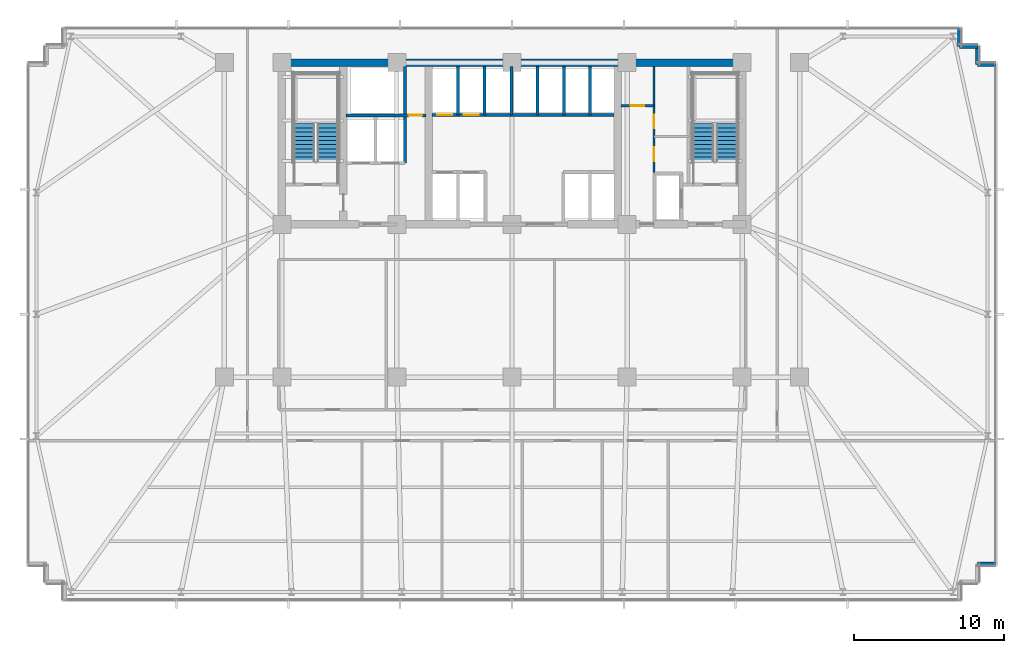
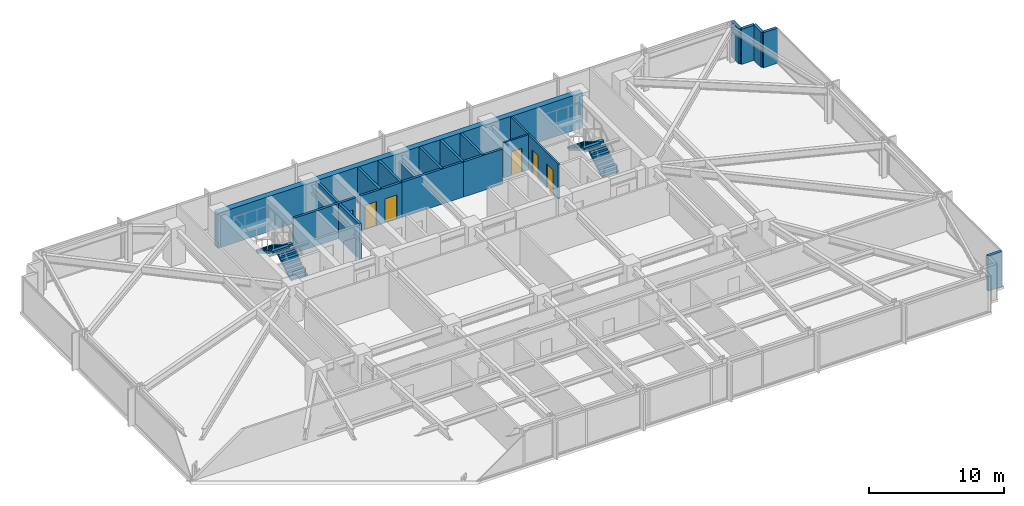
# One storey, part 26 of 32: 19 walls, 6 doors, 4 stair flights, 6 openings, 2 elements without a shape of their own.
"""IFC4 building model written with IfcOpenShell, lengths in metres."""

from ifc_helpers import new_model, si_unit, direction, frame, frame_2d, origin, place, context, subcontext, project, spatial, polyline, rectangle, outline, extrude, material, layer, layer_set, type_object, element, fill, aggregate, save


model = new_model("IFC4")

# Units and contexts
model_context = context("Model", 3, precision=1e-05, world=origin(), true_north=direction((0.0, 1.0)))
body_context = subcontext(model_context, "Body", "Model", "MODEL_VIEW")
ifc_project = project(units=[si_unit("LENGTHUNIT", "METRE"), si_unit("AREAUNIT", "SQUARE_METRE"), si_unit("VOLUMEUNIT", "CUBIC_METRE"), si_unit("PLANEANGLEUNIT", "RADIAN"), si_unit("MASSUNIT", "GRAM", prefix="KILO")], contexts=[model_context])

# Site, building, storey
site_placement = place(None, origin())
site = spatial("IfcSite", under=ifc_project, at=site_placement, CompositionType="ELEMENT")
building_placement = place(site_placement, origin())
building = spatial("IfcBuilding", under=site, at=building_placement, Name="Yelkora Congress Tower", CompositionType="ELEMENT")
storey_placement = place(building_placement, frame((0.0, 0.0, 40.60009765625)))
storey = spatial("IfcBuildingStorey", under=building, at=storey_placement, Name="L09", CompositionType="ELEMENT", Elevation=40.60009765625)

# Walls
ifc_material_1 = material(Name="Concrete C60/75", Category="concrete")
ifc_layer_1 = layer(ifc_material_1, 0.5)
ifc_layer_set_1 = layer_set([ifc_layer_1], Name="Concrete C60/75")
wall_type_1 = type_object("IfcWallType", Name="WALL-CORE-INT-500", PredefinedType="SHEAR", material=ifc_layer_set_1)
wall_1_placement = place(storey_placement, frame((22.7900390625, 46.199951171875, 0.0), z_axis=(0.0, 0.0, 1.0), x_axis=(1.0, 0.0, 0.0)))
element("IfcWall", 1, at=wall_1_placement, inside=storey, type_object=wall_type_1, Name="L09 Rear Core North Shear Wall", PredefinedType="SHEAR", context=body_context, shape_type="SweptSolid", body=[
    extrude(rectangle(XDim=31.219970703125, YDim=0.5, at=frame_2d((15.60986328125, 0.0))), origin(), (0.0, 0.0, 1.0), 3.179931640625),
])
ifc_material_2 = material(Name="Concrete C40/50", Category="concrete")
ifc_layer_2 = layer(ifc_material_2, 0.239990234375)
ifc_layer_set_2 = layer_set([ifc_layer_2], Name="Concrete C40/50")
wall_type_2 = type_object("IfcWallType", Name="WALL-EXT-LIMESTONE-240", PredefinedType="SOLIDWALL", material=ifc_layer_set_2)
for number, where, z_axis, x_axis, name in (
    (2, (68.260009765625, 48.4599609375, 0.0), (0.0, 0.0, 1.0), (0.0, -1.0, 0.0), "L09 Serrated Corner Limestone Pier 11"),
    (3, (68.260009765625, 47.260009765625, 0.0), (0.0, 0.0, 1.0), (1.0, 0.0, 0.0), "L09 Serrated Corner Limestone Pier 12"),
    (4, (69.4599609375, 47.260009765625, 0.0), (0.0, 0.0, 1.0), (0.0, -1.0, 0.0), "L09 Serrated Corner Limestone Pier 13"),
    (5, (69.4599609375, 46.06005859375, 0.0), (0.0, 0.0, 1.0), (1.0, 0.0, 0.0), "L09 Serrated Corner Limestone Pier 14"),
    (6, (70.659912109375, 12.739990234375, 0.0), (0.0, 0.0, 1.0), (-1.0, 0.0, 0.0), "L09 Serrated Corner Limestone Pier 16"),
):
    element("IfcWall", number, at=place(storey_placement, frame(where, z_axis=z_axis, x_axis=x_axis)), inside=storey, type_object=wall_type_2, Name=name, PredefinedType="SOLIDWALL", context=body_context, shape_type="SweptSolid", body=[
        extrude(rectangle(XDim=1.199951171875, YDim=0.239990234375, at=frame_2d((0.60009765625, 0.0))), origin(), (0.0, 0.0, 1.0), 3.179931640625),
    ])

# Wall, opening, door
ifc_material_3 = material(Name="Acoustic metal-stud gypsum partition", Category="gypsum")
ifc_layer_3 = layer(ifc_material_3, 0.14990234375)
ifc_layer_set_3 = layer_set([ifc_layer_3], Name="Acoustic metal-stud gypsum partition")
wall_type_3 = type_object("IfcWallType", Name="WALL-INT-150-NR", PredefinedType="PARTITIONING", material=ifc_layer_set_3)
wall_2_placement = place(storey_placement, frame((45.679931640625, 43.31005859375, 0.0), z_axis=(0.0, 0.0, 1.0), x_axis=(1.0, 0.0, 0.0)))
wall_2 = element("IfcWall", 7, at=wall_2_placement, inside=storey, type_object=wall_type_3, Name="L09 Partition Wall 28", PredefinedType="PARTITIONING", context=body_context, shape_type="SweptSolid", body=[
    extrude(rectangle(XDim=2.199951171875, YDim=0.14990234375, at=frame_2d((1.10009765625, 0.0))), origin(), (0.0, 0.0, 1.0), 3.179931640625),
])
opening_1_placement = place(wall_2_placement, frame((0.64990234375, 0.0, 0.0)))
opening_1 = element("IfcOpeningElement", 8, at=opening_1_placement, cuts=wall_2, Name="Opening DR-090N", PredefinedType="OPENING", context=body_context, shape_type="SweptSolid", body=[
    extrude(rectangle(XDim=0.89990234375, YDim=2.14990234375, at=frame_2d((0.449951171875, 1.074951171875))), frame((0.0, 0.0849609375, 0.0), z_axis=(0.0, -1.0, 0.0), x_axis=(1.0, 0.0, 0.0)), (0.0, 0.0, 1.0), 0.169921875),
])
ifc_material_4 = material(Name="Moisture-resistant laminate door leaf", Category="wood")
door_type_1 = type_object("IfcDoorType", Name="DOOR-INT-900", OperationType="NOTDEFINED", PredefinedType="DOOR", material=ifc_material_4)
door_1_placement = place(opening_1_placement, origin())
door_1 = element("IfcDoor", 9, at=door_1_placement, inside=storey, type_object=door_type_1, Name="L09 Male WC Door", OperationType="SINGLE_SWING_RIGHT", OverallHeight=2.14990234375, OverallWidth=0.89990234375, PredefinedType="DOOR", context=body_context, shape_type="SweptSolid", body=[
    extrude(rectangle(XDim=0.89990234375, YDim=2.14990234375, at=frame_2d((0.449951171875, 1.074951171875))), frame((0.0, 0.02490234375, 0.0), z_axis=(0.0, -1.0, 0.0), x_axis=(1.0, 0.0, 0.0)), (0.0, 0.0, 1.0), 0.050048828125),
])
fill(opening_1, door_1)

# Wall, openings, doors
wall_3_placement = place(storey_placement, frame((47.8798828125, 38.85009765625, 0.0), z_axis=(0.0, 0.0, 1.0), x_axis=(0.0, 1.0, 0.0)))
wall_3 = element("IfcWall", 10, at=wall_3_placement, inside=storey, type_object=wall_type_3, Name="L09 Partition Wall 30", PredefinedType="PARTITIONING", context=body_context, shape_type="SweptSolid", body=[
    extrude(rectangle(XDim=7.06982421875, YDim=0.14990234375, at=frame_2d((3.534912109375, 0.0))), origin(), (0.0, 0.0, 1.0), 3.179931640625),
])
opening_2_placement = place(wall_3_placement, frame((0.75, 0.0, 0.0)))
opening_2 = element("IfcOpeningElement", 11, at=opening_2_placement, cuts=wall_3, Name="Opening DR-095N", PredefinedType="OPENING", context=body_context, shape_type="SweptSolid", body=[
    extrude(rectangle(XDim=0.949951171875, YDim=2.14990234375, at=frame_2d((0.47509765625, 1.074951171875))), frame((0.0, 0.0849609375, 0.0), z_axis=(0.0, -1.0, 0.0), x_axis=(1.0, 0.0, 0.0)), (0.0, 0.0, 1.0), 0.169921875),
])
opening_3_placement = place(wall_3_placement, frame((2.949951171875, 0.0, 0.0)))
opening_3 = element("IfcOpeningElement", 12, at=opening_3_placement, cuts=wall_3, Name="Opening DR-090N", PredefinedType="OPENING", context=body_context, shape_type="SweptSolid", body=[
    extrude(rectangle(XDim=0.89990234375, YDim=2.14990234375, at=frame_2d((0.449951171875, 1.074951171875))), frame((0.0, 0.0849609375, 0.0), z_axis=(0.0, -1.0, 0.0), x_axis=(1.0, 0.0, 0.0)), (0.0, 0.0, 1.0), 0.169921875),
])
door_2_placement = place(opening_3_placement, origin())
door_2 = element("IfcDoor", 13, at=door_2_placement, inside=storey, type_object=door_type_1, Name="L09 Female WC Door", OperationType="SINGLE_SWING_RIGHT", OverallHeight=2.14990234375, OverallWidth=0.89990234375, PredefinedType="DOOR", context=body_context, shape_type="SweptSolid", body=[
    extrude(rectangle(XDim=0.89990234375, YDim=2.14990234375, at=frame_2d((0.449951171875, 1.074951171875))), frame((0.0, 0.02490234375, 0.0), z_axis=(0.0, -1.0, 0.0), x_axis=(1.0, 0.0, 0.0)), (0.0, 0.0, 1.0), 0.050048828125),
])
fill(opening_3, door_2)
ifc_material_5 = material(Name="Acoustic laminated timber office door", Category="wood")
door_type_2 = type_object("IfcDoorType", Name="DOOR-INT-950", OperationType="NOTDEFINED", PredefinedType="DOOR", material=ifc_material_5)
door_3_placement = place(opening_2_placement, origin())
door_3 = element("IfcDoor", 14, at=door_3_placement, inside=storey, type_object=door_type_2, Name="L09 Accessible WC Door", OperationType="SINGLE_SWING_LEFT", OverallHeight=2.14990234375, OverallWidth=0.949951171875, PredefinedType="DOOR", context=body_context, shape_type="SweptSolid", body=[
    extrude(rectangle(XDim=0.949951171875, YDim=2.14990234375, at=frame_2d((0.47509765625, 1.074951171875))), frame((0.0, 0.02490234375, 0.0), z_axis=(0.0, -1.0, 0.0), x_axis=(1.0, 0.0, 0.0)), (0.0, 0.0, 1.0), 0.050048828125),
])
fill(opening_2, door_3)

# Wall
ifc_material_6 = material(Name="Autoclaved aerated concrete blockwork", Category="masonry")
ifc_layer_4 = layer(ifc_material_6, 0.199951171875)
ifc_layer_set_4 = layer_set([ifc_layer_4], Name="Autoclaved aerated concrete blockwork")
wall_type_4 = type_object("IfcWallType", Name="WALL-INT-200-R120", PredefinedType="PARTITIONING", material=ifc_layer_set_4)
wall_4_placement = place(storey_placement, frame((31.260009765625, 39.47998046875, 0.0), z_axis=(0.0, 0.0, 1.0), x_axis=(0.0, 1.0, 0.0)))
element("IfcWall", 15, at=wall_4_placement, inside=storey, type_object=wall_type_4, Name="L09 Partition Wall 5", PredefinedType="PARTITIONING", context=body_context, shape_type="SweptSolid", body=[
    extrude(rectangle(XDim=6.43994140625, YDim=0.199951171875, at=frame_2d((3.219970703125, 0.0))), origin(), (0.0, 0.0, 1.0), 3.179931640625),
])

# Wall, opening, door
wall_5_placement = place(storey_placement, frame((27.320068359375, 42.679931640625, 0.0), z_axis=(0.0, 0.0, 1.0), x_axis=(1.0, 0.0, 0.0)))
wall_5 = element("IfcWall", 16, at=wall_5_placement, inside=storey, type_object=wall_type_4, Name="L09 Smoke Riser South Wall", PredefinedType="PARTITIONING", context=body_context, shape_type="SweptSolid", body=[
    extrude(rectangle(XDim=5.329833984375, YDim=0.199951171875, at=frame_2d((2.6650390625, 0.0))), origin(), (0.0, 0.0, 1.0), 3.179931640625),
])
opening_4_placement = place(wall_5_placement, frame((4.179931640625, 0.0, 0.0)))
opening_4 = element("IfcOpeningElement", 17, at=opening_4_placement, cuts=wall_5, Name="Opening DR-090F6", PredefinedType="OPENING", context=body_context, shape_type="SweptSolid", body=[
    extrude(rectangle(XDim=0.89990234375, YDim=2.14990234375, at=frame_2d((0.449951171875, 1.074951171875))), frame((0.0, 0.10986328125, 0.0), z_axis=(0.0, -1.0, 0.0), x_axis=(1.0, 0.0, 0.0)), (0.0, 0.0, 1.0), 0.219970703125),
])
ifc_material_7 = material(Name="Painted steel riser fire door leaf", Category="steel")
door_type_3 = type_object("IfcDoorType", Name="DOOR-FD60-900", OperationType="NOTDEFINED", PredefinedType="DOOR", material=ifc_material_7)
door_4_placement = place(opening_4_placement, origin())
door_4 = element("IfcDoor", 18, at=door_4_placement, inside=storey, type_object=door_type_3, Name="L09 Riser Access Door", OperationType="SINGLE_SWING_LEFT", OverallHeight=2.14990234375, OverallWidth=0.89990234375, PredefinedType="DOOR", context=body_context, shape_type="SweptSolid", body=[
    extrude(rectangle(XDim=0.89990234375, YDim=2.14990234375, at=frame_2d((0.449951171875, 1.074951171875))), frame((0.0, 0.02490234375, 0.0), z_axis=(0.0, -1.0, 0.0), x_axis=(1.0, 0.0, 0.0)), (0.0, 0.0, 1.0), 0.050048828125),
])
fill(opening_4, door_4)

# Walls
wall_6_placement = place(storey_placement, frame((36.60009765625, 42.699951171875, 0.0), z_axis=(0.0, 0.0, 1.0), x_axis=(1.0, 0.0, 0.0)))
element("IfcWall", 19, at=wall_6_placement, inside=storey, type_object=wall_type_4, Name="L09 Partition Wall 8", PredefinedType="PARTITIONING", context=body_context, shape_type="SweptSolid", body=[
    extrude(rectangle(XDim=5.25, YDim=0.199951171875, at=frame_2d((2.625, 0.0))), origin(), (0.0, 0.0, 1.0), 3.179931640625),
])
wall_7_placement = place(storey_placement, frame((38.35009765625, 42.699951171875, 0.0), z_axis=(0.0, 0.0, 1.0), x_axis=(0.0, 1.0, 0.0)))
element("IfcWall", 20, at=wall_7_placement, inside=storey, type_object=wall_type_4, Name="L09 Partition Wall 9", PredefinedType="PARTITIONING", context=body_context, shape_type="SweptSolid", body=[
    extrude(rectangle(XDim=3.219970703125, YDim=0.199951171875, at=frame_2d((1.60986328125, 0.0))), origin(), (0.0, 0.0, 1.0), 2.474853515625),
])
wall_8_placement = place(storey_placement, frame((40.10009765625, 42.699951171875, 0.0), z_axis=(0.0, 0.0, 1.0), x_axis=(0.0, 1.0, 0.0)))
element("IfcWall", 21, at=wall_8_placement, inside=storey, type_object=wall_type_4, Name="L09 Partition Wall 10", PredefinedType="PARTITIONING", context=body_context, shape_type="SweptSolid", body=[
    extrude(rectangle(XDim=3.219970703125, YDim=0.199951171875, at=frame_2d((1.60986328125, 0.0))), origin(), (0.0, 0.0, 1.0), 3.179931640625),
])

# Wall, openings, doors
wall_9_placement = place(storey_placement, frame((33.050048828125, 42.699951171875, 0.0), z_axis=(0.0, 0.0, 1.0), x_axis=(1.0, 0.0, 0.0)))
wall_9 = element("IfcWall", 22, at=wall_9_placement, inside=storey, type_object=wall_type_4, Name="L09 Partition Wall 12", PredefinedType="PARTITIONING", context=body_context, shape_type="SweptSolid", body=[
    extrude(rectangle(XDim=3.570068359375, YDim=0.199951171875, at=frame_2d((1.78515625, 0.0))), origin(), (0.0, 0.0, 1.0), 3.179931640625),
])
opening_5_placement = place(wall_9_placement, frame((0.375, 0.0, 0.0)))
opening_5 = element("IfcOpeningElement", 23, at=opening_5_placement, cuts=wall_9, Name="Opening LD-PS10", PredefinedType="OPENING", context=body_context, shape_type="SweptSolid", body=[
    extrude(rectangle(XDim=1.0, YDim=2.199951171875, at=frame_2d((0.5, 1.10009765625))), frame((0.0, 0.10986328125, 0.0), z_axis=(0.0, -1.0, 0.0), x_axis=(1.0, 0.0, 0.0)), (0.0, 0.0, 1.0), 0.219970703125),
])
opening_6_placement = place(wall_9_placement, frame((2.125, 0.0, 0.0)))
opening_6 = element("IfcOpeningElement", 24, at=opening_6_placement, cuts=wall_9, Name="Opening LD-PS10", PredefinedType="OPENING", context=body_context, shape_type="SweptSolid", body=[
    extrude(rectangle(XDim=1.0, YDim=2.199951171875, at=frame_2d((0.5, 1.10009765625))), frame((0.0, 0.10986328125, 0.0), z_axis=(0.0, -1.0, 0.0), x_axis=(1.0, 0.0, 0.0)), (0.0, 0.0, 1.0), 0.219970703125),
])
ifc_material_8 = material(Name="Champagne stainless steel landing door", Category="steel")
door_type_4 = type_object("IfcDoorType", Name="DOOR-LIFT-PAS-1000", OperationType="DOUBLE_DOOR_SLIDING", PredefinedType="DOOR", material=ifc_material_8)
door_5_placement = place(opening_5_placement, origin())
door_5 = element("IfcDoor", 25, at=door_5_placement, inside=storey, type_object=door_type_4, Name="Lift Landing Door LF-P3 L09", OperationType="DOUBLE_DOOR_SLIDING", OverallHeight=2.199951171875, OverallWidth=1.0, PredefinedType="DOOR", context=body_context, shape_type="SweptSolid", body=[
    extrude(rectangle(XDim=1.0, YDim=2.199951171875, at=frame_2d((0.5, 1.10009765625))), frame((0.0, 0.02490234375, 0.0), z_axis=(0.0, -1.0, 0.0), x_axis=(1.0, 0.0, 0.0)), (0.0, 0.0, 1.0), 0.050048828125),
])
fill(opening_5, door_5)
door_6_placement = place(opening_6_placement, origin())
door_6 = element("IfcDoor", 26, at=door_6_placement, inside=storey, type_object=door_type_4, Name="Lift Landing Door LF-P4 L09", OperationType="DOUBLE_DOOR_SLIDING", OverallHeight=2.199951171875, OverallWidth=1.0, PredefinedType="DOOR", context=body_context, shape_type="SweptSolid", body=[
    extrude(rectangle(XDim=1.0, YDim=2.199951171875, at=frame_2d((0.5, 1.10009765625))), frame((0.0, 0.02490234375, 0.0), z_axis=(0.0, -1.0, 0.0), x_axis=(1.0, 0.0, 0.0)), (0.0, 0.0, 1.0), 0.050048828125),
])
fill(opening_6, door_6)

# Walls
for number, where, z_axis, x_axis, name in (
    (27, (34.800048828125, 42.699951171875, 0.0), (0.0, 0.0, 1.0), (0.0, 1.0, 0.0), "L09 Partition Wall 14"),
    (28, (36.580078125, 42.699951171875, 0.0), (0.0, 0.0, 1.0), (0.0, 1.0, 0.0), "L09 Partition Wall 16"),
):
    element("IfcWall", number, at=place(storey_placement, frame(where, z_axis=z_axis, x_axis=x_axis)), inside=storey, type_object=wall_type_4, Name=name, PredefinedType="PARTITIONING", context=body_context, shape_type="SweptSolid", body=[
        extrude(rectangle(XDim=3.219970703125, YDim=0.199951171875, at=frame_2d((1.60986328125, 0.0))), origin(), (0.0, 0.0, 1.0), 3.179931640625),
    ])
wall_10_placement = place(storey_placement, frame((41.85009765625, 42.699951171875, 0.0), z_axis=(0.0, 0.0, 1.0), x_axis=(1.0, 0.0, 0.0)))
element("IfcWall", 29, at=wall_10_placement, inside=storey, type_object=wall_type_4, Name="L09 Partition Wall 18", PredefinedType="PARTITIONING", context=body_context, shape_type="SweptSolid", body=[
    extrude(rectangle(XDim=3.369873046875, YDim=0.199951171875, at=frame_2d((1.68505859375, 0.0))), origin(), (0.0, 0.0, 1.0), 3.179931640625),
])
for number, where, z_axis, x_axis, name in (
    (30, (43.60009765625, 42.699951171875, 0.0), (0.0, 0.0, 1.0), (0.0, 1.0, 0.0), "L09 Partition Wall 20"),
    (31, (41.8798828125, 42.699951171875, 0.0), (0.0, 0.0, 1.0), (0.0, 1.0, 0.0), "L09 Partition Wall 22"),
):
    element("IfcWall", number, at=place(storey_placement, frame(where, z_axis=z_axis, x_axis=x_axis)), inside=storey, type_object=wall_type_4, Name=name, PredefinedType="PARTITIONING", context=body_context, shape_type="SweptSolid", body=[
        extrude(rectangle(XDim=3.219970703125, YDim=0.199951171875, at=frame_2d((1.60986328125, 0.0))), origin(), (0.0, 0.0, 1.0), 3.179931640625),
    ])

# Stair, stair flights
stair_type = type_object("IfcStairType", Name="STAIR-HT-1420-R20-170", PredefinedType="HALF_TURN_STAIR", material=ifc_material_2)
stair_1_placement = place(storey_placement, origin())
stair_1 = element("IfcStair", 32, at=stair_1_placement, inside=storey, type_object=stair_type, Name="West Core Protected Exit Stair ST-01 (L09)", PredefinedType="HALF_TURN_STAIR")
stair_flight_type = type_object("IfcStairFlightType", Name="FLIGHT-1420-N10-R170-G280", PredefinedType="STRAIGHT", material=ifc_material_2)
stair_flight_1_placement = place(storey_placement, frame((26.110107421875, 39.60009765625, 0.0), z_axis=(0.0, 0.0, 1.0), x_axis=(0.0, 1.0, 0.0)))
stair_flight_1 = element("IfcStairFlight", 33, at=stair_flight_1_placement, type_object=stair_flight_type, Name="ST-01 L09 Flight 1", NumberOfRisers=10, NumberOfTreads=9, PredefinedType="STRAIGHT", RiserHeight=0.17, TreadLength=0.28, context=body_context, shape_type="SweptSolid", body=[
    extrude(outline(polyline([(0.0, 0.0), (0.0, 0.169921875), (0.280029296875, 0.169921875), (0.280029296875, 0.340087890625), (0.56005859375, 0.340087890625), (0.56005859375, 0.510009765625), (0.840087890625, 0.510009765625), (0.840087890625, 0.679931640625), (1.1201171875, 0.679931640625), (1.1201171875, 0.85009765625), (1.39990234375, 0.85009765625), (1.39990234375, 1.02001953125), (1.679931640625, 1.02001953125), (1.679931640625, 1.18994140625), (1.9599609375, 1.18994140625), (1.9599609375, 1.360107421875), (2.239990234375, 1.360107421875), (2.239990234375, 1.530029296875), (2.52001953125, 1.530029296875), (2.52001953125, 1.699951171875), (2.52001953125, 1.343017578125), (0.30810546875, 0.0), (0.0, 0.0)])), frame((0.0, 0.7099609375, 0.0), z_axis=(0.0, -1.0, 0.0), x_axis=(1.0, 0.0, 0.0)), (0.0, 0.0, 1.0), 1.419921875),
])
stair_flight_2_placement = place(storey_placement, frame((24.530029296875, 42.1201171875, 1.699951171875), z_axis=(0.0, 0.0, 1.0), x_axis=(0.0, -1.0, 0.0)))
stair_flight_2 = element("IfcStairFlight", 34, at=stair_flight_2_placement, type_object=stair_flight_type, Name="ST-01 L09 Flight 2", NumberOfRisers=10, NumberOfTreads=9, PredefinedType="STRAIGHT", RiserHeight=0.17, TreadLength=0.28, context=body_context, shape_type="SweptSolid", body=[
    extrude(outline(polyline([(0.0, 0.0), (0.0, 0.169921875), (0.280029296875, 0.169921875), (0.280029296875, 0.340087890625), (0.56005859375, 0.340087890625), (0.56005859375, 0.510009765625), (0.840087890625, 0.510009765625), (0.840087890625, 0.679931640625), (1.1201171875, 0.679931640625), (1.1201171875, 0.85009765625), (1.39990234375, 0.85009765625), (1.39990234375, 1.02001953125), (1.679931640625, 1.02001953125), (1.679931640625, 1.18994140625), (1.9599609375, 1.18994140625), (1.9599609375, 1.360107421875), (2.239990234375, 1.360107421875), (2.239990234375, 1.530029296875), (2.52001953125, 1.530029296875), (2.52001953125, 1.699951171875), (2.52001953125, 1.343017578125), (0.30810546875, 0.0), (0.0, 0.0)])), frame((0.0, 0.7099609375, 0.0), z_axis=(0.0, -1.0, 0.0), x_axis=(1.0, 0.0, 0.0)), (0.0, 0.0, 1.0), 1.419921875),
])
aggregate(stair_1, [stair_flight_1, stair_flight_2])

stair_2_placement = place(storey_placement, origin())
stair_2 = element("IfcStair", 35, at=stair_2_placement, inside=storey, type_object=stair_type, Name="East Core Protected Exit Stair ST-02 (L09)", PredefinedType="HALF_TURN_STAIR")
stair_flight_3_placement = place(storey_placement, frame((52.75, 39.60009765625, 0.0), z_axis=(0.0, 0.0, 1.0), x_axis=(0.0, 1.0, 0.0)))
stair_flight_3 = element("IfcStairFlight", 36, at=stair_flight_3_placement, type_object=stair_flight_type, Name="ST-02 L09 Flight 1", NumberOfRisers=10, NumberOfTreads=9, PredefinedType="STRAIGHT", RiserHeight=0.17, TreadLength=0.28, context=body_context, shape_type="SweptSolid", body=[
    extrude(outline(polyline([(0.0, 0.0), (0.0, 0.169921875), (0.280029296875, 0.169921875), (0.280029296875, 0.340087890625), (0.56005859375, 0.340087890625), (0.56005859375, 0.510009765625), (0.840087890625, 0.510009765625), (0.840087890625, 0.679931640625), (1.1201171875, 0.679931640625), (1.1201171875, 0.85009765625), (1.39990234375, 0.85009765625), (1.39990234375, 1.02001953125), (1.679931640625, 1.02001953125), (1.679931640625, 1.18994140625), (1.9599609375, 1.18994140625), (1.9599609375, 1.360107421875), (2.239990234375, 1.360107421875), (2.239990234375, 1.530029296875), (2.52001953125, 1.530029296875), (2.52001953125, 1.699951171875), (2.52001953125, 1.343017578125), (0.30810546875, 0.0), (0.0, 0.0)])), frame((0.0, 0.7099609375, 0.0), z_axis=(0.0, -1.0, 0.0), x_axis=(1.0, 0.0, 0.0)), (0.0, 0.0, 1.0), 1.419921875),
])
stair_flight_4_placement = place(storey_placement, frame((51.169921875, 42.1201171875, 1.699951171875), z_axis=(0.0, 0.0, 1.0), x_axis=(0.0, -1.0, 0.0)))
stair_flight_4 = element("IfcStairFlight", 37, at=stair_flight_4_placement, type_object=stair_flight_type, Name="ST-02 L09 Flight 2", NumberOfRisers=10, NumberOfTreads=9, PredefinedType="STRAIGHT", RiserHeight=0.17, TreadLength=0.28, context=body_context, shape_type="SweptSolid", body=[
    extrude(outline(polyline([(0.0, 0.0), (0.0, 0.169921875), (0.280029296875, 0.169921875), (0.280029296875, 0.340087890625), (0.56005859375, 0.340087890625), (0.56005859375, 0.510009765625), (0.840087890625, 0.510009765625), (0.840087890625, 0.679931640625), (1.1201171875, 0.679931640625), (1.1201171875, 0.85009765625), (1.39990234375, 0.85009765625), (1.39990234375, 1.02001953125), (1.679931640625, 1.02001953125), (1.679931640625, 1.18994140625), (1.9599609375, 1.18994140625), (1.9599609375, 1.360107421875), (2.239990234375, 1.360107421875), (2.239990234375, 1.530029296875), (2.52001953125, 1.530029296875), (2.52001953125, 1.699951171875), (2.52001953125, 1.343017578125), (0.30810546875, 0.0), (0.0, 0.0)])), frame((0.0, 0.7099609375, 0.0), z_axis=(0.0, -1.0, 0.0), x_axis=(1.0, 0.0, 0.0)), (0.0, 0.0, 1.0), 1.419921875),
])
aggregate(stair_2, [stair_flight_3, stair_flight_4])

save(model, "model.ifc")
